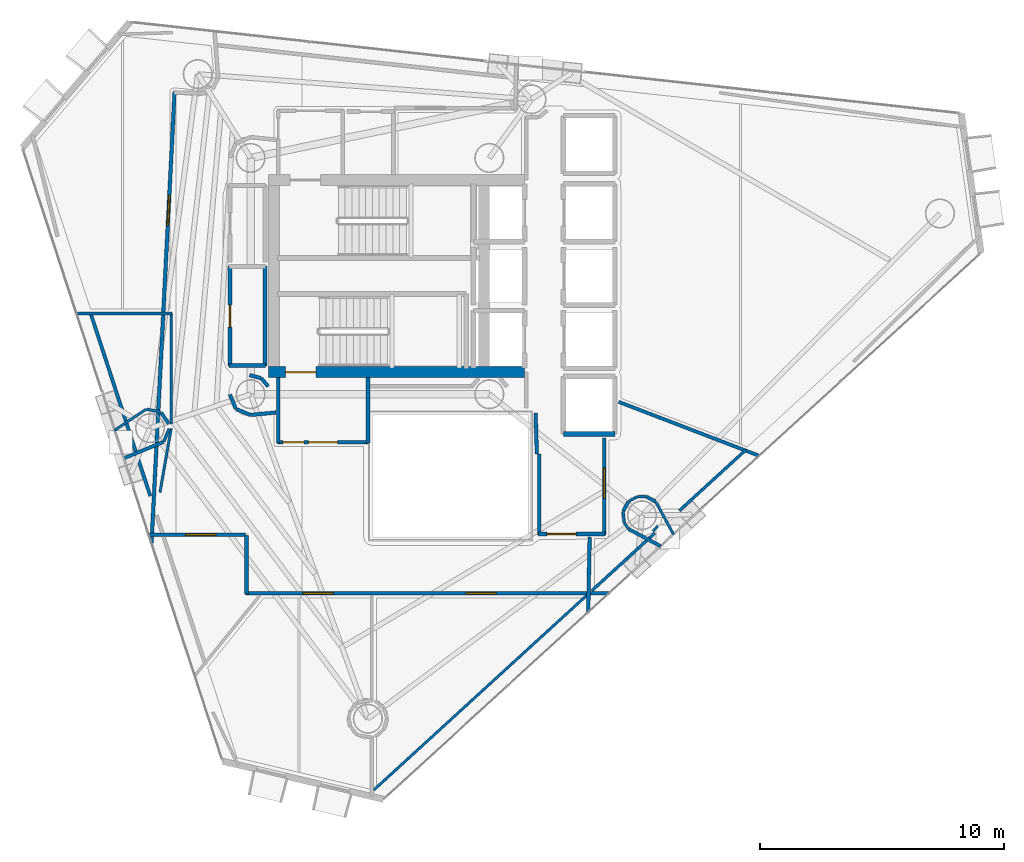
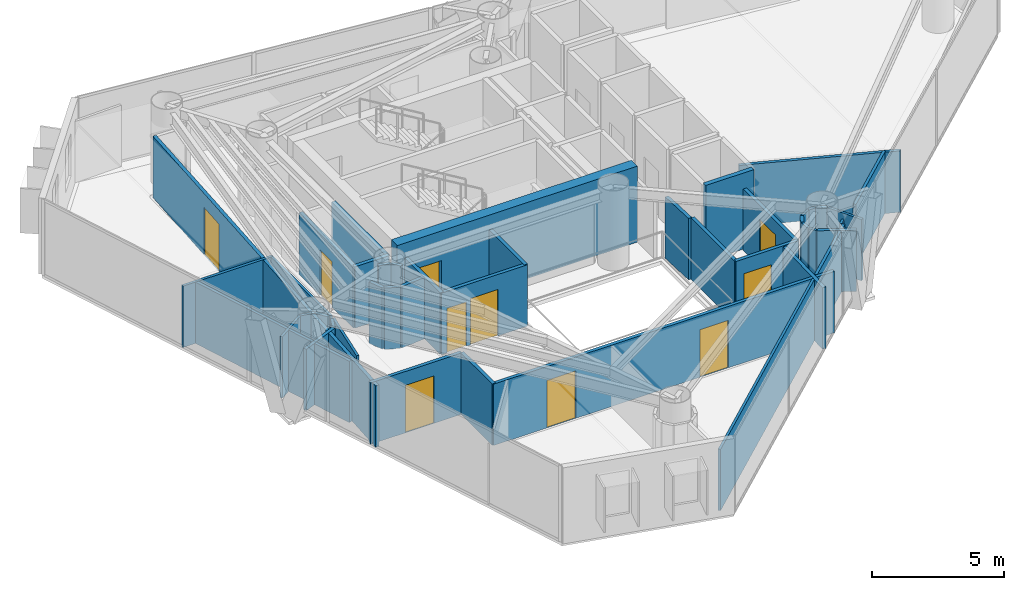
# One storey, part 19 of 24: 44 walls, 10 doors, 10 openings.
"""IFC4 building model written with IfcOpenShell, lengths in metres."""

from ifc_helpers import new_model, si_unit, direction, frame, frame_2d, origin, place, context, subcontext, project, spatial, rectangle, extrude, material, layer, layer_set, type_object, element, fill, save


model = new_model("IFC4")

# Units and contexts
model_context = context("Model", 3, precision=1e-05, world=origin(), true_north=direction((0.0, 1.0)))
body_context = subcontext(model_context, "Body", "Model", "MODEL_VIEW")
ifc_project = project(units=[si_unit("LENGTHUNIT", "METRE"), si_unit("AREAUNIT", "SQUARE_METRE"), si_unit("VOLUMEUNIT", "CUBIC_METRE"), si_unit("PLANEANGLEUNIT", "RADIAN"), si_unit("MASSUNIT", "GRAM", prefix="KILO")], contexts=[model_context])

# Site, building, storey
site_placement = place(None, origin())
site = spatial("IfcSite", under=ifc_project, at=site_placement, CompositionType="ELEMENT")
building_placement = place(site_placement, origin())
building = spatial("IfcBuilding", under=site, at=building_placement, Name="Qianvela Tower", CompositionType="ELEMENT")
storey_placement = place(building_placement, frame((0.0, 0.0, 222.5)))
storey = spatial("IfcBuildingStorey", under=building, at=storey_placement, Name="L57", CompositionType="ELEMENT", Elevation=222.5)

# Wall, opening, door
ifc_material_1 = material(Name="Concrete C50", Category="concrete")
ifc_layer_1 = layer(ifc_material_1, 0.449951171875)
ifc_layer_set_1 = layer_set([ifc_layer_1], Name="Concrete C50")
wall_type_1 = type_object("IfcWallType", Name="WT-CORE-450", PredefinedType="SHEAR", material=ifc_layer_set_1)
wall_1_placement = place(storey_placement, frame((29.330078125, 24.7548828125, 0.0), z_axis=(0.0, 0.0, 1.0), x_axis=(1.0, 0.0, 0.0)))
wall_1 = element("IfcWall", 1, at=wall_1_placement, inside=storey, type_object=wall_type_1, Name="L57 South Core Shear Wall", PredefinedType="SHEAR", context=body_context, shape_type="SweptSolid", body=[
    extrude(rectangle(XDim=10.52001953125, YDim=0.449951171875, at=frame_2d((5.260009765625, 0.0))), origin(), (0.0, 0.0, 1.0), 3.52001953125),
])
opening_1_placement = place(wall_1_placement, frame((0.695068359375, 0.0, 0.0)))
opening_1 = element("IfcOpeningElement", 2, at=opening_1_placement, cuts=wall_1, Name="Opening D-ST1", PredefinedType="OPENING", context=body_context, shape_type="SweptSolid", body=[
    extrude(rectangle(XDim=1.25, YDim=2.14990234375, at=frame_2d((0.625, 1.074951171875))), frame((0.0, 0.23486328125, 0.0), z_axis=(0.0, -1.0, 0.0), x_axis=(1.0, 0.0, 0.0)), (0.0, 0.0, 1.0), 0.469970703125),
])
ifc_material_2 = material(Name="Galvanised Fire Steel Q355B", Category="steel")
door_type_1 = type_object("IfcDoorType", Name="DT-STAIR-FD90", OperationType="NOTDEFINED", PredefinedType="DOOR", material=ifc_material_2)
door_1_placement = place(opening_1_placement, origin())
door_1 = element("IfcDoor", 3, at=door_1_placement, inside=storey, type_object=door_type_1, Name="L57 Stair ST-2 Exit Door", OperationType="SINGLE_SWING_LEFT", OverallHeight=2.14990234375, OverallWidth=1.25, PredefinedType="DOOR", context=body_context, shape_type="SweptSolid", body=[
    extrude(rectangle(XDim=1.25, YDim=2.14990234375, at=frame_2d((0.625, 1.074951171875))), frame((0.0, 0.02490234375, 0.0), z_axis=(0.0, -1.0, 0.0), x_axis=(1.0, 0.0, 0.0)), (0.0, 0.0, 1.0), 0.050048828125),
])
fill(opening_1, door_1)

# Wall, openings, doors
ifc_material_3 = material(Name="Fire-Rated Acoustic Gypsum Board")
ifc_layer_2 = layer(ifc_material_3, 0.14990234375)
ifc_layer_set_2 = layer_set([ifc_layer_2], Name="Fire-Rated Acoustic Gypsum Board")
wall_type_2 = type_object("IfcWallType", Name="WT-CORR-150", PredefinedType="PARTITIONING", material=ifc_layer_set_2)
wall_2_placement = place(storey_placement, frame((33.449951171875, 21.881103515625, 0.0), z_axis=(0.0, 0.0, 1.0), x_axis=(-1.0, 0.0, 0.0)))
wall_2 = element("IfcWall", 4, at=wall_2_placement, inside=storey, type_object=wall_type_2, Name="L57 Partition 5", PredefinedType="PARTITIONING", context=body_context, shape_type="SweptSolid", body=[
    extrude(rectangle(XDim=3.75, YDim=0.14990234375, at=frame_2d((1.875, 0.0))), origin(), (0.0, 0.0, 1.0), 2.840087890625),
])
opening_2_placement = place(wall_2_placement, frame((1.27490234375, 0.0, 0.0)))
opening_2 = element("IfcOpeningElement", 5, at=opening_2_placement, cuts=wall_2, Name="Opening D-LB1", PredefinedType="OPENING", context=body_context, shape_type="SweptSolid", body=[
    extrude(rectangle(XDim=1.199951171875, YDim=2.14990234375, at=frame_2d((0.60009765625, 1.074951171875))), frame((0.0, 0.0849609375, 0.0), z_axis=(0.0, -1.0, 0.0), x_axis=(1.0, 0.0, 0.0)), (0.0, 0.0, 1.0), 0.169921875),
])
opening_3_placement = place(wall_2_placement, frame((2.659912109375, 0.0, 0.0)))
opening_3 = element("IfcOpeningElement", 6, at=opening_3_placement, cuts=wall_2, Name="Opening D-LB2", PredefinedType="OPENING", context=body_context, shape_type="SweptSolid", body=[
    extrude(rectangle(XDim=0.860107421875, YDim=2.050048828125, at=frame_2d((0.43017578125, 1.02490234375))), frame((0.0, 0.0849609375, 0.0), z_axis=(0.0, -1.0, 0.0), x_axis=(1.0, 0.0, 0.0)), (0.0, 0.0, 1.0), 0.169921875),
])
ifc_material_4 = material(Name="Glazed Fire-Rated Steel Frame", Category="steel")
door_type_2 = type_object("IfcDoorType", Name="DT-LOBBY-FD90", OperationType="NOTDEFINED", PredefinedType="DOOR", material=ifc_material_4)
door_2_placement = place(opening_2_placement, origin())
door_2 = element("IfcDoor", 7, at=door_2_placement, inside=storey, type_object=door_type_2, Name="L57 Door L57 Firefighting Lobby South to L57 Floor Corridor", OperationType="SINGLE_SWING_RIGHT", OverallHeight=2.14990234375, OverallWidth=1.199951171875, PredefinedType="DOOR", context=body_context, shape_type="SweptSolid", body=[
    extrude(rectangle(XDim=1.199951171875, YDim=2.14990234375, at=frame_2d((0.60009765625, 1.074951171875))), frame((0.0, 0.02490234375, 0.0), z_axis=(0.0, -1.0, 0.0), x_axis=(1.0, 0.0, 0.0)), (0.0, 0.0, 1.0), 0.050048828125),
])
fill(opening_2, door_2)
ifc_material_5 = material(Name="Insulated Steel Fire Door Q355B", Category="steel")
door_type_3 = type_object("IfcDoorType", Name="DT-LOBBY-FD90-860", OperationType="NOTDEFINED", PredefinedType="DOOR", material=ifc_material_5)
door_3_placement = place(opening_3_placement, origin())
door_3 = element("IfcDoor", 8, at=door_3_placement, inside=storey, type_object=door_type_3, Name="L57 Door L57 Firefighting Lobby South to L57 Floor Corridor", OperationType="SINGLE_SWING_LEFT", OverallHeight=2.050048828125, OverallWidth=0.860107421875, PredefinedType="DOOR", context=body_context, shape_type="SweptSolid", body=[
    extrude(rectangle(XDim=0.860107421875, YDim=2.050048828125, at=frame_2d((0.43017578125, 1.02490234375))), frame((0.0, 0.02490234375, 0.0), z_axis=(0.0, -1.0, 0.0), x_axis=(1.0, 0.0, 0.0)), (0.0, 0.0, 1.0), 0.050048828125),
])
fill(opening_3, door_3)

# Walls
for number, where, z_axis, x_axis, name in (
    (9, (29.73095703125, 21.85009765625, 0.0), (0.0, 0.0, 1.0), (0.0, 1.0, 0.0), "L57 Partition 6"),
    (10, (33.4189453125, 24.5419921875, 0.0), (0.0, 0.0, 1.0), (0.0, -1.0, 0.0), "L57 Partition 8"),
):
    element("IfcWall", number, at=place(storey_placement, frame(where, z_axis=z_axis, x_axis=x_axis)), inside=storey, type_object=wall_type_2, Name=name, PredefinedType="PARTITIONING", context=body_context, shape_type="SweptSolid", body=[
        extrude(rectangle(XDim=2.69189453125, YDim=0.14990234375, at=frame_2d((1.345947265625, 0.0))), origin(), (0.0, 0.0, 1.0), 2.840087890625),
    ])
wall_3_placement = place(storey_placement, frame((40.35107421875, 21.40087890625, 0.0), z_axis=(0.0, 0.0, 1.0), x_axis=(-0.031058045979, 0.999517582527, 0.0)))
element("IfcWall", 11, at=wall_3_placement, inside=storey, type_object=wall_type_2, Name="L57 Partition 9", PredefinedType="PARTITIONING", context=body_context, shape_type="SweptSolid", body=[
    extrude(rectangle(XDim=1.68212890625, YDim=0.14990234375, at=frame_2d((0.841064453125, 0.0))), origin(), (0.0, 0.0, 1.0), 2.840087890625),
])

# Wall, opening, door
wall_4_placement = place(storey_placement, frame((43.118896484375, 22.050048828125, 0.0), z_axis=(0.0, 0.0, 1.0), x_axis=(0.0, -1.0, 0.0)))
wall_4 = element("IfcWall", 12, at=wall_4_placement, inside=storey, type_object=wall_type_2, Name="L57 Partition 17", PredefinedType="PARTITIONING", context=body_context, shape_type="SweptSolid", body=[
    extrude(rectangle(XDim=3.969970703125, YDim=0.14990234375, at=frame_2d((1.98486328125, 0.0))), origin(), (0.0, 0.0, 1.0), 2.840087890625),
])
opening_4_placement = place(wall_4_placement, frame((1.219970703125, 0.0, 0.0)))
opening_4 = element("IfcOpeningElement", 13, at=opening_4_placement, cuts=wall_4, Name="Opening D-LG1", PredefinedType="OPENING", context=body_context, shape_type="SweptSolid", body=[
    extrude(rectangle(XDim=1.25, YDim=2.199951171875, at=frame_2d((0.625, 1.10009765625))), frame((0.0, 0.0849609375, 0.0), z_axis=(0.0, -1.0, 0.0), x_axis=(1.0, 0.0, 0.0)), (0.0, 0.0, 1.0), 0.169921875),
])
ifc_material_6 = material(Name="Anodised Aluminium Acoustic Glass Door", Category="aluminium")
door_type_4 = type_object("IfcDoorType", Name="DT-LOUNGE-1250", OperationType="NOTDEFINED", PredefinedType="DOOR", material=ifc_material_6)
door_4_placement = place(opening_4_placement, origin())
door_4 = element("IfcDoor", 14, at=door_4_placement, inside=storey, type_object=door_type_4, Name="L57 Door Student Bookshop Market L57-04 to L57 Lift Lobby", OperationType="SINGLE_SWING_LEFT", OverallHeight=2.199951171875, OverallWidth=1.25, PredefinedType="DOOR", context=body_context, shape_type="SweptSolid", body=[
    extrude(rectangle(XDim=1.25, YDim=2.199951171875, at=frame_2d((0.625, 1.10009765625))), frame((0.0, 0.02490234375, 0.0), z_axis=(0.0, -1.0, 0.0), x_axis=(1.0, 0.0, 0.0)), (0.0, 0.0, 1.0), 0.050048828125),
])
fill(opening_4, door_4)

wall_5_placement = place(storey_placement, frame((43.14990234375, 18.111083984375, 0.0), z_axis=(0.0, 0.0, 1.0), x_axis=(-1.0, 0.0, 0.0)))
wall_5 = element("IfcWall", 15, at=wall_5_placement, inside=storey, type_object=wall_type_2, Name="L57 Partition 18", PredefinedType="PARTITIONING", context=body_context, shape_type="SweptSolid", body=[
    extrude(rectangle(XDim=2.72998046875, YDim=0.14990234375, at=frame_2d((1.364990234375, 0.0))), origin(), (0.0, 0.0, 1.0), 2.840087890625),
])
opening_5_placement = place(wall_5_placement, frame((1.18505859375, 0.0, 0.0)))
opening_5 = element("IfcOpeningElement", 16, at=opening_5_placement, cuts=wall_5, Name="Opening D-LB1", PredefinedType="OPENING", context=body_context, shape_type="SweptSolid", body=[
    extrude(rectangle(XDim=1.199951171875, YDim=2.14990234375, at=frame_2d((0.60009765625, 1.074951171875))), frame((0.0, 0.0849609375, 0.0), z_axis=(0.0, -1.0, 0.0), x_axis=(1.0, 0.0, 0.0)), (0.0, 0.0, 1.0), 0.169921875),
])
door_5_placement = place(opening_5_placement, origin())
door_5 = element("IfcDoor", 17, at=door_5_placement, inside=storey, type_object=door_type_2, Name="L57 Door L57 Lift Lobby to L57 Floor Corridor", OperationType="SINGLE_SWING_LEFT", OverallHeight=2.14990234375, OverallWidth=1.199951171875, PredefinedType="DOOR", context=body_context, shape_type="SweptSolid", body=[
    extrude(rectangle(XDim=1.199951171875, YDim=2.14990234375, at=frame_2d((0.60009765625, 1.074951171875))), frame((0.0, 0.02490234375, 0.0), z_axis=(0.0, -1.0, 0.0), x_axis=(1.0, 0.0, 0.0)), (0.0, 0.0, 1.0), 0.050048828125),
])
fill(opening_5, door_5)

# Walls
wall_6_placement = place(storey_placement, frame((40.450927734375, 18.080078125, 0.0), z_axis=(0.0, 0.0, 1.0), x_axis=(0.0, 1.0, 0.0)))
element("IfcWall", 18, at=wall_6_placement, inside=storey, type_object=wall_type_2, Name="L57 Partition 19 seg 1", PredefinedType="PARTITIONING", context=body_context, shape_type="SweptSolid", body=[
    extrude(rectangle(XDim=3.31982421875, YDim=0.14990234375, at=frame_2d((1.659912109375, 0.0))), origin(), (0.0, 0.0, 1.0), 2.840087890625),
])
wall_7_placement = place(storey_placement, frame((29.321044921875, 24.169921875, 0.0), z_axis=(0.0, 0.0, 1.0), x_axis=(-0.638008265708, 0.770029514296, 0.0)))
element("IfcWall", 19, at=wall_7_placement, inside=storey, type_object=wall_type_2, Name="L57 Partition 36", PredefinedType="PARTITIONING", context=body_context, shape_type="SweptSolid", body=[
    extrude(rectangle(XDim=0.430908203125, YDim=0.14990234375, at=frame_2d((0.21533203125, 0.0))), origin(), (0.0, 0.0, 1.0), 2.840087890625),
])
wall_8_placement = place(storey_placement, frame((29.030029296875, 24.511962890625, 0.0), z_axis=(0.0, 0.0, 1.0), x_axis=(-0.967681003213, 0.252177469296, 0.0)))
element("IfcWall", 20, at=wall_8_placement, inside=storey, type_object=wall_type_2, Name="L57 Partition 37", PredefinedType="PARTITIONING", context=body_context, shape_type="SweptSolid", body=[
    extrude(rectangle(XDim=0.488037109375, YDim=0.14990234375, at=frame_2d((0.244140625, 0.0))), origin(), (0.0, 0.0, 1.0), 2.840087890625),
])
for number, where, z_axis, x_axis, name in (
    (21, (27.75146484375, 23.838134765625, 0.0), (0.0, 0.0, 1.0), (0.382431970258, -0.923983651438, 0.0), "L57 Partition 63"),
    (22, (28.00830078125, 23.241455078125, 0.0), (0.0, 0.0, 1.0), (0.923983651438, -0.382431970258, 0.0), "L57 Partition 64"),
):
    element("IfcWall", number, at=place(storey_placement, frame(where, z_axis=z_axis, x_axis=x_axis)), inside=storey, type_object=wall_type_2, Name=name, PredefinedType="PARTITIONING", context=body_context, shape_type="SweptSolid", body=[
        extrude(rectangle(XDim=0.62744140625, YDim=0.14990234375, at=frame_2d((0.313720703125, 0.0))), origin(), (0.0, 0.0, 1.0), 2.840087890625),
    ])
wall_9_placement = place(storey_placement, frame((28.60302734375, 22.9990234375, 0.0), z_axis=(0.0, 0.0, 1.0), x_axis=(0.995179827095, 0.098066873836, 0.0)))
element("IfcWall", 23, at=wall_9_placement, inside=storey, type_object=wall_type_2, Name="L57 Partition 65", PredefinedType="PARTITIONING", context=body_context, shape_type="SweptSolid", body=[
    extrude(rectangle(XDim=1.043212890625, YDim=0.14990234375, at=frame_2d((0.521484375, 0.0))), origin(), (0.0, 0.0, 1.0), 2.840087890625),
])
wall_10_placement = place(storey_placement, frame((42.51904296875, 17.980712890625, 0.0), z_axis=(0.0, 0.0, 1.0), x_axis=(-0.019860499427, -0.99980276083, 0.0)))
element("IfcWall", 24, at=wall_10_placement, inside=storey, type_object=wall_type_2, Name="L57 Partition 69", PredefinedType="PARTITIONING", context=body_context, shape_type="SweptSolid", body=[
    extrude(rectangle(XDim=3.097900390625, YDim=0.14990234375, at=frame_2d((1.548828125, 0.0))), origin(), (0.0, 0.0, 1.0), 2.840087890625),
])

# Wall, openings, doors
wall_11_placement = place(storey_placement, frame((43.328369140625, 15.680908203125, 0.0), z_axis=(0.0, 0.0, 1.0), x_axis=(-1.0, 0.0, 0.0)))
wall_11 = element("IfcWall", 25, at=wall_11_placement, inside=storey, type_object=wall_type_2, Name="L57 Partition 70", PredefinedType="PARTITIONING", context=body_context, shape_type="SweptSolid", body=[
    extrude(rectangle(XDim=14.928466796875, YDim=0.14990234375, at=frame_2d((7.46435546875, 0.0))), origin(), (0.0, 0.0, 1.0), 2.840087890625),
])
opening_6_placement = place(wall_11_placement, frame((11.33447265625, 0.0, 0.0)))
opening_6 = element("IfcOpeningElement", 26, at=opening_6_placement, cuts=wall_11, Name="Opening D-LG1", PredefinedType="OPENING", context=body_context, shape_type="SweptSolid", body=[
    extrude(rectangle(XDim=1.25, YDim=2.199951171875, at=frame_2d((0.625, 1.10009765625))), frame((0.0, 0.0849609375, 0.0), z_axis=(0.0, -1.0, 0.0), x_axis=(1.0, 0.0, 0.0)), (0.0, 0.0, 1.0), 0.169921875),
])
opening_7_placement = place(wall_11_placement, frame((4.654541015625, 0.0, 0.0)))
opening_7 = element("IfcOpeningElement", 27, at=opening_7_placement, cuts=wall_11, Name="Opening D-LG1", PredefinedType="OPENING", context=body_context, shape_type="SweptSolid", body=[
    extrude(rectangle(XDim=1.25, YDim=2.199951171875, at=frame_2d((0.625, 1.10009765625))), frame((0.0, 0.0849609375, 0.0), z_axis=(0.0, -1.0, 0.0), x_axis=(1.0, 0.0, 0.0)), (0.0, 0.0, 1.0), 0.169921875),
])
door_6_placement = place(opening_6_placement, origin())
door_6 = element("IfcDoor", 28, at=door_6_placement, inside=storey, type_object=door_type_4, Name="L57 Door Print Copy Kiosk L57-02 to L57 Floor Corridor", OperationType="SINGLE_SWING_LEFT", OverallHeight=2.199951171875, OverallWidth=1.25, PredefinedType="DOOR", context=body_context, shape_type="SweptSolid", body=[
    extrude(rectangle(XDim=1.25, YDim=2.199951171875, at=frame_2d((0.625, 1.10009765625))), frame((0.0, 0.02490234375, 0.0), z_axis=(0.0, -1.0, 0.0), x_axis=(1.0, 0.0, 0.0)), (0.0, 0.0, 1.0), 0.050048828125),
])
fill(opening_6, door_6)
door_7_placement = place(opening_7_placement, origin())
door_7 = element("IfcDoor", 29, at=door_7_placement, inside=storey, type_object=door_type_4, Name="L57 Door Campus Convenience Shop L57-03 to L57 Floor Corridor", OperationType="SINGLE_SWING_RIGHT", OverallHeight=2.199951171875, OverallWidth=1.25, PredefinedType="DOOR", context=body_context, shape_type="SweptSolid", body=[
    extrude(rectangle(XDim=1.25, YDim=2.199951171875, at=frame_2d((0.625, 1.10009765625))), frame((0.0, 0.02490234375, 0.0), z_axis=(0.0, -1.0, 0.0), x_axis=(1.0, 0.0, 0.0)), (0.0, 0.0, 1.0), 0.050048828125),
])
fill(opening_7, door_7)

# Wall
wall_12_placement = place(storey_placement, frame((28.430908203125, 15.64990234375, 0.0), z_axis=(0.0, 0.0, 1.0), x_axis=(0.0, 1.0, 0.0)))
element("IfcWall", 30, at=wall_12_placement, inside=storey, type_object=wall_type_2, Name="L57 Partition 71", PredefinedType="PARTITIONING", context=body_context, shape_type="SweptSolid", body=[
    extrude(rectangle(XDim=2.400146484375, YDim=0.14990234375, at=frame_2d((1.2001953125, 0.0))), origin(), (0.0, 0.0, 1.0), 2.840087890625),
])

# Wall, opening, door
wall_13_placement = place(storey_placement, frame((28.39990234375, 18.0810546875, 0.0), z_axis=(0.0, 0.0, 1.0), x_axis=(-1.0, 0.0, 0.0)))
wall_13 = element("IfcWall", 31, at=wall_13_placement, inside=storey, type_object=wall_type_2, Name="L57 Partition 72", PredefinedType="PARTITIONING", context=body_context, shape_type="SweptSolid", body=[
    extrude(rectangle(XDim=3.997314453125, YDim=0.14990234375, at=frame_2d((1.99853515625, 0.0))), origin(), (0.0, 0.0, 1.0), 2.840087890625),
])
opening_8_placement = place(wall_13_placement, frame((1.22509765625, 0.0, 0.0)))
opening_8 = element("IfcOpeningElement", 32, at=opening_8_placement, cuts=wall_13, Name="Opening D-LG1", PredefinedType="OPENING", context=body_context, shape_type="SweptSolid", body=[
    extrude(rectangle(XDim=1.25, YDim=2.199951171875, at=frame_2d((0.625, 1.10009765625))), frame((0.0, 0.0849609375, 0.0), z_axis=(0.0, -1.0, 0.0), x_axis=(1.0, 0.0, 0.0)), (0.0, 0.0, 1.0), 0.169921875),
])
door_8_placement = place(opening_8_placement, origin())
door_8 = element("IfcDoor", 33, at=door_8_placement, inside=storey, type_object=door_type_4, Name="L57 Door Stationery Supply Boutique L57-01 to L57 Floor Corridor", OperationType="SINGLE_SWING_RIGHT", OverallHeight=2.199951171875, OverallWidth=1.25, PredefinedType="DOOR", context=body_context, shape_type="SweptSolid", body=[
    extrude(rectangle(XDim=1.25, YDim=2.199951171875, at=frame_2d((0.625, 1.10009765625))), frame((0.0, 0.02490234375, 0.0), z_axis=(0.0, -1.0, 0.0), x_axis=(1.0, 0.0, 0.0)), (0.0, 0.0, 1.0), 0.050048828125),
])
fill(opening_8, door_8)

wall_14_placement = place(storey_placement, frame((24.53369140625, 17.74072265625, 0.0), z_axis=(0.0, 0.0, 1.0), x_axis=(0.051059940586, 0.998695590492, 0.0)))
wall_14 = element("IfcWall", 34, at=wall_14_placement, inside=storey, type_object=wall_type_2, Name="L57 Partition 73", PredefinedType="PARTITIONING", context=body_context, shape_type="SweptSolid", body=[
    extrude(rectangle(XDim=18.552001953125, YDim=0.14990234375, at=frame_2d((9.27587890625, 0.0))), origin(), (0.0, 0.0, 1.0), 2.840087890625),
])
opening_9_placement = place(wall_14_placement, frame((13.05078125, 0.0, 0.0)))
opening_9 = element("IfcOpeningElement", 35, at=opening_9_placement, cuts=wall_14, Name="Opening D-LG1", PredefinedType="OPENING", context=body_context, shape_type="SweptSolid", body=[
    extrude(rectangle(XDim=1.25, YDim=2.199951171875, at=frame_2d((0.625, 1.10009765625))), frame((0.0, 0.0849609375, 0.0), z_axis=(0.0, -1.0, 0.0), x_axis=(1.0, 0.0, 0.0)), (0.0, 0.0, 1.0), 0.169921875),
])
door_9_placement = place(opening_9_placement, origin())
door_9 = element("IfcDoor", 36, at=door_9_placement, inside=storey, type_object=door_type_4, Name="L57 Door Print Copy Kiosk L57-06 to L57 Floor Corridor", OperationType="SINGLE_SWING_RIGHT", OverallHeight=2.199951171875, OverallWidth=1.25, PredefinedType="DOOR", context=body_context, shape_type="SweptSolid", body=[
    extrude(rectangle(XDim=1.25, YDim=2.199951171875, at=frame_2d((0.625, 1.10009765625))), frame((0.0, 0.02490234375, 0.0), z_axis=(0.0, -1.0, 0.0), x_axis=(1.0, 0.0, 0.0)), (0.0, 0.0, 1.0), 0.050048828125),
])
fill(opening_9, door_9)

# Walls
ifc_material_7 = material(Name="Lightweight Gypsum Room Partition")
ifc_layer_3 = layer(ifc_material_7, 0.10498046875)
ifc_layer_set_3 = layer_set([ifc_layer_3], Name="Lightweight Gypsum Room Partition")
wall_type_3 = type_object("IfcWallType", Name="WT-PART-105", PredefinedType="PARTITIONING", material=ifc_layer_set_3)
wall_15_placement = place(storey_placement, frame((25.33935546875, 27.19482421875, 0.0), z_axis=(0.0, 0.0, 1.0), x_axis=(0.0, -1.0, 0.0)))
element("IfcWall", 37, at=wall_15_placement, inside=storey, type_object=wall_type_3, Name="L57 Partition 79", PredefinedType="PARTITIONING", context=body_context, shape_type="SweptSolid", body=[
    extrude(rectangle(XDim=4.568359375, YDim=0.10498046875, at=frame_2d((2.2841796875, 0.0))), origin(), (0.0, 0.0, 1.0), 2.840087890625),
])
wall_16_placement = place(storey_placement, frame((24.306396484375, 23.231201171875, 0.0), z_axis=(0.0, 0.0, 1.0), x_axis=(-0.831401909313, -0.555671544341, 0.0)))
element("IfcWall", 38, at=wall_16_placement, inside=storey, type_object=wall_type_3, Name="L57 Partition 82", PredefinedType="PARTITIONING", context=body_context, shape_type="SweptSolid", body=[
    extrude(rectangle(XDim=1.5654296875, YDim=0.10498046875, at=frame_2d((0.78271484375, 0.0))), origin(), (0.0, 0.0, 1.0), 2.840087890625),
])
wall_17_placement = place(storey_placement, frame((25.33935546875, 22.4462890625, 0.0), z_axis=(0.0, 0.0, 1.0), x_axis=(-0.172226916482, -0.985057302516, 0.0)))
element("IfcWall", 39, at=wall_17_placement, inside=storey, type_object=wall_type_3, Name="L57 Partition 88 seg 1", PredefinedType="PARTITIONING", context=body_context, shape_type="SweptSolid", body=[
    extrude(rectangle(XDim=2.66357421875, YDim=0.10498046875, at=frame_2d((1.331787109375, 0.0))), origin(), (0.0, 0.0, 1.0), 2.840087890625),
])
wall_18_placement = place(storey_placement, frame((42.3955078125, 15.593017578125, 0.0), z_axis=(0.0, 0.0, 1.0), x_axis=(-0.738061977913, -0.67473292254, 0.0)))
element("IfcWall", 40, at=wall_18_placement, inside=storey, type_object=wall_type_3, Name="L57 Partition 109", PredefinedType="PARTITIONING", context=body_context, shape_type="SweptSolid", body=[
    extrude(rectangle(XDim=11.835205078125, YDim=0.10498046875, at=frame_2d((5.91748046875, 0.0))), origin(), (0.0, 0.0, 1.0), 2.840087890625),
])
wall_19_placement = place(storey_placement, frame((45.9677734375, 18.085693359375, 0.0), z_axis=(0.0, 0.0, 1.0), x_axis=(-0.478818749428, 0.877913780047, 0.0)))
element("IfcWall", 41, at=wall_19_placement, inside=storey, type_object=wall_type_3, Name="L57 Partition 115", PredefinedType="PARTITIONING", context=body_context, shape_type="SweptSolid", body=[
    extrude(rectangle(XDim=1.537353515625, YDim=0.10498046875, at=frame_2d((0.7685546875, 0.0))), origin(), (0.0, 0.0, 1.0), 2.840087890625),
])
wall_20_placement = place(storey_placement, frame((44.504150390625, 19.65576171875, 0.0), z_axis=(0.0, 0.0, 1.0), x_axis=(-0.881923737177, -0.471392110461, 0.0)))
element("IfcWall", 42, at=wall_20_placement, inside=storey, type_object=wall_type_3, Name="L57 Partition 118", PredefinedType="PARTITIONING", context=body_context, shape_type="SweptSolid", body=[
    extrude(rectangle(XDim=0.441162109375, YDim=0.10498046875, at=frame_2d((0.220703125, 0.0))), origin(), (0.0, 0.0, 1.0), 2.840087890625),
])
for number, where, z_axis, x_axis, name in (
    (43, (43.939208984375, 18.574951171875, 0.0), (0.0, 0.0, 1.0), (0.55508024351, -0.831796804072, 0.0), "L57 Partition 121"),
    (44, (45.111083984375, 18.229248046875, 0.0), (0.0, 0.0, 1.0), (0.707518488087, 0.706694834434, 0.0), "L57 Partition 124"),
):
    element("IfcWall", number, at=place(storey_placement, frame(where, z_axis=z_axis, x_axis=x_axis)), inside=storey, type_object=wall_type_3, Name=name, PredefinedType="PARTITIONING", context=body_context, shape_type="SweptSolid", body=[
        extrude(rectangle(XDim=0.29638671875, YDim=0.10498046875, at=frame_2d((0.148193359375, 0.0))), origin(), (0.0, 0.0, 1.0), 2.840087890625),
    ])
ifc_material_8 = material(Name="Insulated Gypsum Stud Partition")
ifc_layer_4 = layer(ifc_material_8, 0.1201171875)
ifc_layer_set_4 = layer_set([ifc_layer_4], Name="Insulated Gypsum Stud Partition")
wall_type_4 = type_object("IfcWallType", Name="WT-PART-120", PredefinedType="PARTITIONING", material=ifc_layer_set_4)
wall_21_placement = place(storey_placement, frame((21.4375, 27.163818359375, 0.0), z_axis=(0.0, 0.0, 1.0), x_axis=(1.0, 0.0, 0.0)))
element("IfcWall", 45, at=wall_21_placement, inside=storey, type_object=wall_type_4, Name="L57 Partition 78", PredefinedType="PARTITIONING", context=body_context, shape_type="SweptSolid", body=[
    extrude(rectangle(XDim=3.932861328125, YDim=0.1201171875, at=frame_2d((1.96630859375, 0.0))), origin(), (0.0, 0.0, 1.0), 2.840087890625),
])
wall_22_placement = place(storey_placement, frame((24.900390625, 23.122314453125, 0.0), z_axis=(0.0, 0.0, 1.0), x_axis=(-0.980773892286, 0.195147565217, 0.0)))
element("IfcWall", 46, at=wall_22_placement, inside=storey, type_object=wall_type_4, Name="L57 Partition 81", PredefinedType="PARTITIONING", context=body_context, shape_type="SweptSolid", body=[
    extrude(rectangle(XDim=0.581787109375, YDim=0.1201171875, at=frame_2d((0.291015625, 0.0))), origin(), (0.0, 0.0, 1.0), 2.840087890625),
])
wall_23_placement = place(storey_placement, frame((25.0380859375, 21.910400390625, 0.0), z_axis=(0.0, 0.0, 1.0), x_axis=(0.389093528864, 0.921198255424, 0.0)))
element("IfcWall", 47, at=wall_23_placement, inside=storey, type_object=wall_type_4, Name="L57 Partition 87", PredefinedType="PARTITIONING", context=body_context, shape_type="SweptSolid", body=[
    extrude(rectangle(XDim=0.568359375, YDim=0.1201171875, at=frame_2d((0.2841796875, 0.0))), origin(), (0.0, 0.0, 1.0), 2.840087890625),
])
wall_24_placement = place(storey_placement, frame((48.94189453125, 21.57763671875, 0.0), z_axis=(0.0, 0.0, 1.0), x_axis=(-0.738076553921, -0.674716978112, 0.0)))
element("IfcWall", 48, at=wall_24_placement, inside=storey, type_object=wall_type_4, Name="L57 Partition 114", PredefinedType="PARTITIONING", context=body_context, shape_type="SweptSolid", body=[
    extrude(rectangle(XDim=3.710693359375, YDim=0.1201171875, at=frame_2d((1.85546875, 0.0))), origin(), (0.0, 0.0, 1.0), 2.840087890625),
])
wall_25_placement = place(storey_placement, frame((44.815185546875, 19.659423828125, 0.0), z_axis=(0.0, 0.0, 1.0), x_axis=(-1.0, 0.0, 0.0)))
element("IfcWall", 49, at=wall_25_placement, inside=storey, type_object=wall_type_4, Name="L57 Partition 117", PredefinedType="PARTITIONING", context=body_context, shape_type="SweptSolid", body=[
    extrude(rectangle(XDim=0.29638671875, YDim=0.1201171875, at=frame_2d((0.148193359375, 0.0))), origin(), (0.0, 0.0, 1.0), 2.840087890625),
])
wall_26_placement = place(storey_placement, frame((43.890869140625, 19.0283203125, 0.0), z_axis=(0.0, 0.0, 1.0), x_axis=(0.097915215421, -0.995194760129, 0.0)))
element("IfcWall", 50, at=wall_26_placement, inside=storey, type_object=wall_type_4, Name="L57 Partition 120", PredefinedType="PARTITIONING", context=body_context, shape_type="SweptSolid", body=[
    extrude(rectangle(XDim=0.44140625, YDim=0.1201171875, at=frame_2d((0.220703125, 0.0))), origin(), (0.0, 0.0, 1.0), 2.840087890625),
])
wall_27_placement = place(storey_placement, frame((45.19140625, 18.14892578125, 0.0), z_axis=(0.0, 0.0, 1.0), x_axis=(-0.738077461562, -0.674715985237, 0.0)))
element("IfcWall", 51, at=wall_27_placement, inside=storey, type_object=wall_type_4, Name="L57 Partition 126 seg 2", PredefinedType="PARTITIONING", context=body_context, shape_type="SweptSolid", body=[
    extrude(rectangle(XDim=3.49853515625, YDim=0.1201171875, at=frame_2d((1.749267578125, 0.0))), origin(), (0.0, 0.0, 1.0), 2.840087890625),
])

# Wall, opening, door
ifc_material_9 = material(Name="Sanitary Service Chase Partition")
ifc_layer_5 = layer(ifc_material_9, 0.1650390625)
ifc_layer_set_5 = layer_set([ifc_layer_5], Name="Sanitary Service Chase Partition")
wall_type_5 = type_object("IfcWallType", Name="WT-PLUMB-165", PredefinedType="PLUMBINGWALL", material=ifc_layer_set_5)
wall_28_placement = place(storey_placement, frame((27.7509765625, 25.0, 0.0), z_axis=(0.0, 0.0, 1.0), x_axis=(0.0, 1.0, 0.0)))
wall_28 = element("IfcWall", 52, at=wall_28_placement, inside=storey, type_object=wall_type_5, Name="L57 Partition 24", PredefinedType="PLUMBINGWALL", context=body_context, shape_type="SweptSolid", body=[
    extrude(rectangle(XDim=4.1201171875, YDim=0.1650390625, at=frame_2d((2.06005859375, 0.0))), origin(), (0.0, 0.0, 1.0), 2.840087890625),
])
opening_10_placement = place(wall_28_placement, frame((1.610107421875, 0.0, 0.0)))
opening_10 = element("IfcOpeningElement", 53, at=opening_10_placement, cuts=wall_28, Name="Opening D-KT1", PredefinedType="OPENING", context=body_context, shape_type="SweptSolid", body=[
    extrude(rectangle(XDim=0.89990234375, YDim=2.10009765625, at=frame_2d((0.449951171875, 1.050048828125))), frame((0.0, 0.092529296875, 0.0), z_axis=(0.0, -1.0, 0.0), x_axis=(1.0, 0.0, 0.0)), (0.0, 0.0, 1.0), 0.18505859375),
])
ifc_material_10 = material(Name="Glazed Timber Kitchen Door", Category="wood")
door_type_5 = type_object("IfcDoorType", Name="DT-KITCH-900", OperationType="NOTDEFINED", PredefinedType="DOOR", material=ifc_material_10)
door_10_placement = place(opening_10_placement, origin())
door_10 = element("IfcDoor", 54, at=door_10_placement, inside=storey, type_object=door_type_5, Name="L57 Door L57 Core Tea Pantry West to L57 Floor Corridor", OperationType="SINGLE_SWING_LEFT", OverallHeight=2.10009765625, OverallWidth=0.89990234375, PredefinedType="DOOR", context=body_context, shape_type="SweptSolid", body=[
    extrude(rectangle(XDim=0.89990234375, YDim=2.10009765625, at=frame_2d((0.449951171875, 1.050048828125))), frame((0.0, 0.02490234375, 0.0), z_axis=(0.0, -1.0, 0.0), x_axis=(1.0, 0.0, 0.0)), (0.0, 0.0, 1.0), 0.050048828125),
])
fill(opening_10, door_10)

# Walls
wall_29_placement = place(storey_placement, frame((29.18896484375, 29.1201171875, 0.0), z_axis=(0.0, 0.0, 1.0), x_axis=(0.0, -1.0, 0.0)))
element("IfcWall", 55, at=wall_29_placement, inside=storey, type_object=wall_type_5, Name="L57 Partition 26", PredefinedType="PLUMBINGWALL", context=body_context, shape_type="SweptSolid", body=[
    extrude(rectangle(XDim=4.1201171875, YDim=0.1650390625, at=frame_2d((2.06005859375, 0.0))), origin(), (0.0, 0.0, 1.0), 2.840087890625),
])
wall_30_placement = place(storey_placement, frame((29.219970703125, 25.031005859375, 0.0), z_axis=(0.0, 0.0, 1.0), x_axis=(-1.0, 0.0, 0.0)))
element("IfcWall", 56, at=wall_30_placement, inside=storey, type_object=wall_type_5, Name="L57 Partition 27", PredefinedType="PLUMBINGWALL", context=body_context, shape_type="SweptSolid", body=[
    extrude(rectangle(XDim=1.5, YDim=0.1650390625, at=frame_2d((0.75, 0.0))), origin(), (0.0, 0.0, 1.0), 2.840087890625),
])
ifc_material_11 = material(Name="Acoustic Double Gypsum Stud Partition")
ifc_layer_6 = layer(ifc_material_11, 0.139892578125)
ifc_layer_set_6 = layer_set([ifc_layer_6], Name="Acoustic Double Gypsum Stud Partition")
wall_type_6 = type_object("IfcWallType", Name="WT-ROOM-140", PredefinedType="PARTITIONING", material=ifc_layer_set_6)
wall_31_placement = place(storey_placement, frame((24.482421875, 19.673583984375, 0.0), z_axis=(0.0, 0.0, 1.0), x_axis=(-0.310360293564, 0.950619002639, 0.0)))
element("IfcWall", 57, at=wall_31_placement, inside=storey, type_object=wall_type_6, Name="L57 Partition 77", PredefinedType="PARTITIONING", context=body_context, shape_type="SweptSolid", body=[
    extrude(rectangle(XDim=7.922119140625, YDim=0.139892578125, at=frame_2d((3.9609375, 0.0))), origin(), (0.0, 0.0, 1.0), 2.840087890625),
])
wall_32_placement = place(storey_placement, frame((25.237548828125, 22.6435546875, 0.0), z_axis=(0.0, 0.0, 1.0), x_axis=(-0.563363697458, 0.826209019792, 0.0)))
element("IfcWall", 58, at=wall_32_placement, inside=storey, type_object=wall_type_6, Name="L57 Partition 80", PredefinedType="PARTITIONING", context=body_context, shape_type="SweptSolid", body=[
    extrude(rectangle(XDim=0.563720703125, YDim=0.139892578125, at=frame_2d((0.28173828125, 0.0))), origin(), (0.0, 0.0, 1.0), 2.840087890625),
])
wall_33_placement = place(storey_placement, frame((23.37890625, 21.213623046875, 0.0), z_axis=(0.0, 0.0, 1.0), x_axis=(0.923851107416, 0.382752049408, 0.0)))
element("IfcWall", 59, at=wall_33_placement, inside=storey, type_object=wall_type_6, Name="L57 Partition 86", PredefinedType="PARTITIONING", context=body_context, shape_type="SweptSolid", body=[
    extrude(rectangle(XDim=1.777587890625, YDim=0.139892578125, at=frame_2d((0.888671875, 0.0))), origin(), (0.0, 0.0, 1.0), 2.840087890625),
])
wall_34_placement = place(storey_placement, frame((43.708984375, 23.538330078125, 0.0), z_axis=(0.0, 0.0, 1.0), x_axis=(0.93358484642, -0.35835643504, 0.0)))
element("IfcWall", 60, at=wall_34_placement, inside=storey, type_object=wall_type_6, Name="L57 Partition 113", PredefinedType="PARTITIONING", context=body_context, shape_type="SweptSolid", body=[
    extrude(rectangle(XDim=6.20166015625, YDim=0.139892578125, at=frame_2d((3.100830078125, 0.0))), origin(), (0.0, 0.0, 1.0), 2.840087890625),
])
for number, where, z_axis, x_axis, name in (
    (61, (45.218994140625, 19.44775390625, 0.0), (0.0, 0.0, 1.0), (-0.881923737177, 0.471392110461, 0.0), "L57 Partition 116"),
    (62, (44.102294921875, 19.43505859375, 0.0), (0.0, 0.0, 1.0), (-0.471392110461, -0.881923737177, 0.0), "L57 Partition 119"),
):
    element("IfcWall", number, at=place(storey_placement, frame(where, z_axis=z_axis, x_axis=x_axis)), inside=storey, type_object=wall_type_6, Name=name, PredefinedType="PARTITIONING", context=body_context, shape_type="SweptSolid", body=[
        extrude(rectangle(XDim=0.441162109375, YDim=0.139892578125, at=frame_2d((0.220703125, 0.0))), origin(), (0.0, 0.0, 1.0), 2.840087890625),
    ])
wall_35_placement = place(storey_placement, frame((44.114990234375, 18.318359375, 0.0), z_axis=(0.0, 0.0, 1.0), x_axis=(0.881913089805, -0.471412030002, 0.0)))
element("IfcWall", 63, at=wall_35_placement, inside=storey, type_object=wall_type_6, Name="L57 Partition 122", PredefinedType="PARTITIONING", context=body_context, shape_type="SweptSolid", body=[
    extrude(rectangle(XDim=1.507080078125, YDim=0.139892578125, at=frame_2d((0.75341796875, 0.0))), origin(), (0.0, 0.0, 1.0), 2.840087890625),
])
ifc_material_12 = material(Name="Concrete C50", Category="concrete")
ifc_layer_7 = layer(ifc_material_12, 0.199951171875)
ifc_layer_set_7 = layer_set([ifc_layer_7], Name="Concrete C50")
wall_type_7 = type_object("IfcWallType", Name="WT-SHAFT-200", PredefinedType="SOLIDWALL", material=ifc_layer_set_7)
wall_36_placement = place(storey_placement, frame((41.449951171875, 22.219970703125, 0.0), z_axis=(0.0, 0.0, 1.0), x_axis=(1.0, 0.0, 0.0)))
element("IfcWall", 64, at=wall_36_placement, inside=storey, type_object=wall_type_7, Name="L57 Lift PL-H2 S Shaft Wall", PredefinedType="SOLIDWALL", context=body_context, shape_type="SweptSolid", body=[
    extrude(rectangle(XDim=2.10009765625, YDim=0.199951171875, at=frame_2d((1.050048828125, 0.0))), origin(), (0.0, 0.0, 1.0), 3.52001953125),
])

save(model, "model.ifc")
